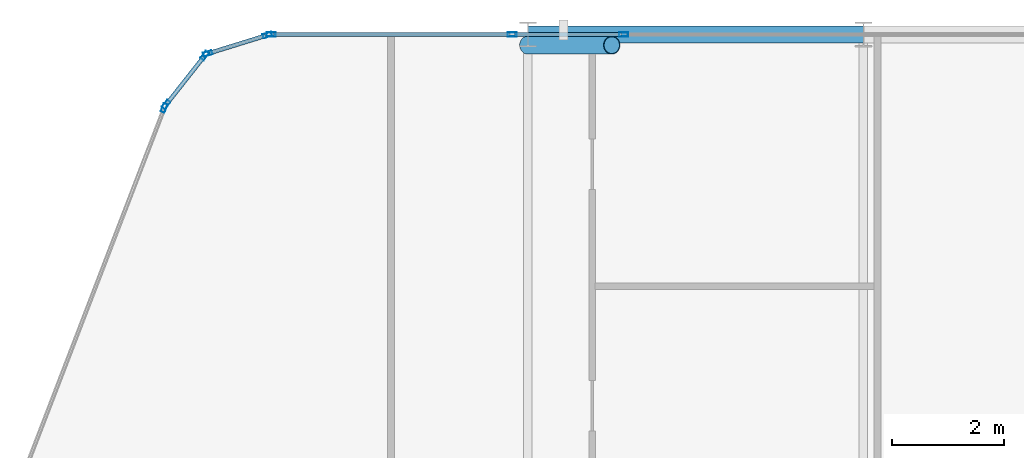
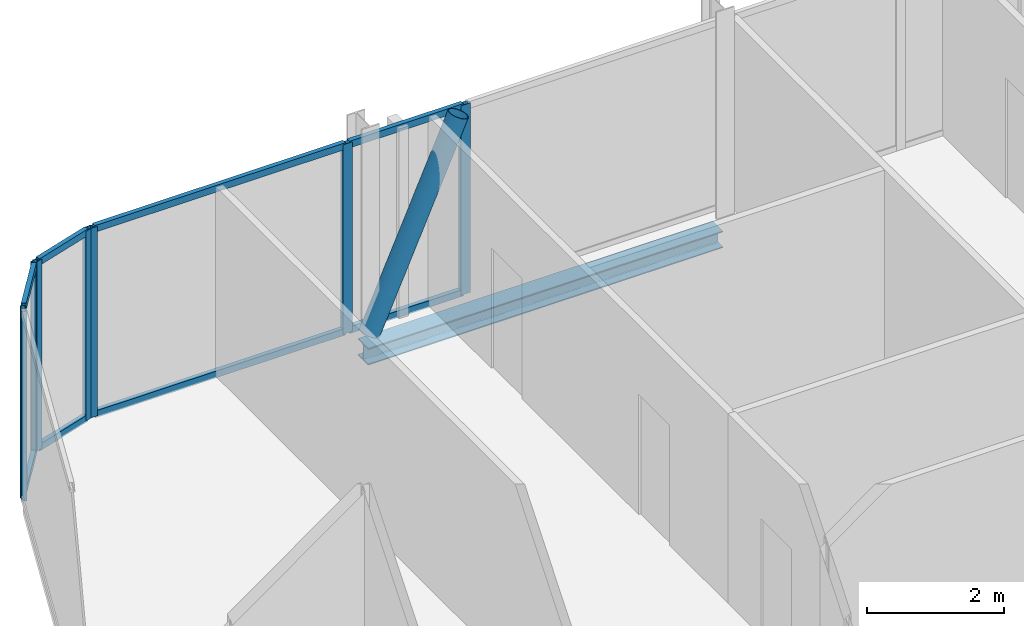
# One storey, part 18 of 29: 17 members, 1 beam, 5 elements without a shape of their own.
"""IFC4 building model written with IfcOpenShell, lengths in metres."""

from ifc_helpers import new_model, si_unit, direction, frame, origin, origin_2d, place, context, subcontext, project, spatial, hollow_rectangle, hollow_circle, i_section, extrude, material, layer, layer_set, material_profile, profile_set, type_object, element, aggregate, save


model = new_model("IFC4")

# Units and contexts
model_context = context("Model", 3, precision=1e-05, world=origin(), true_north=direction((0.0, 1.0)))
body_context = subcontext(model_context, "Body", "Model", "MODEL_VIEW")
ifc_project = project(units=[si_unit("LENGTHUNIT", "METRE"), si_unit("AREAUNIT", "SQUARE_METRE"), si_unit("VOLUMEUNIT", "CUBIC_METRE"), si_unit("PLANEANGLEUNIT", "RADIAN"), si_unit("MASSUNIT", "GRAM", prefix="KILO")], contexts=[model_context])

# Site, building, storey
site_placement = place(None, origin())
site = spatial("IfcSite", under=ifc_project, at=site_placement, CompositionType="ELEMENT")
building_placement = place(site_placement, origin())
building = spatial("IfcBuilding", under=site, at=building_placement, Name="Keshet Zoharim Tower", CompositionType="ELEMENT")
storey_placement = place(building_placement, frame((0.0, 0.0, 172.800048828125)))
storey = spatial("IfcBuildingStorey", under=building, at=storey_placement, Name="L42", CompositionType="ELEMENT", Elevation=172.800048828125)

# Beam
ifc_material_1 = material(Name="Steel S355", Category="steel")
ifc_material_profile_1 = material_profile(ifc_material_1, i_section(OverallWidth=0.300048828125, OverallDepth=0.300048828125, WebThickness=0.010986328125, FlangeThickness=0.01904296875, FilletRadius=0.027099609375, at=origin_2d()), Name="HEB300")
ifc_profile_set_1 = profile_set([ifc_material_profile_1], Name="Steel S355")
beam_type = type_object("IfcBeamType", Name="BM-PRI-HB300", PredefinedType="BEAM", material=ifc_profile_set_1)
beam_placement = place(storey_placement, frame((21.0, 53.89990234375, -0.4599609375), z_axis=(1.0, 0.0, 0.0), x_axis=(0.0, 1.0, 0.0)))
element("IfcBeam", 1, at=beam_placement, inside=storey, type_object=beam_type, Name="L42 Primary Girder X-019", PredefinedType="BEAM", context=body_context, shape_type="SweptSolid", body=[
    extrude(i_section(OverallWidth=0.300048828125, OverallDepth=0.300048828125, WebThickness=0.010986328125, FlangeThickness=0.01904296875, FilletRadius=0.027099609375, at=origin_2d()), origin(), (0.0, 0.0, 1.0), 6.0),
])

# Curtain wall, member
ifc_material_2 = material(Name="Aluminium 6063-T6", Category="aluminium")
ifc_layer = layer(ifc_material_2, 0.139892578125)
ifc_layer_set = layer_set([ifc_layer], Name="Aluminium 6063-T6")
curtain_wall_type = type_object("IfcCurtainWallType", Name="CW-SYS-05", PredefinedType="NOTDEFINED", material=ifc_layer_set)
curtain_wall_1_placement = place(storey_placement, origin())
curtain_wall_1 = element("IfcCurtainWall", 2, at=curtain_wall_1_placement, inside=storey, type_object=curtain_wall_type, Name="L42 Unitised Curtain Wall 13", PredefinedType="NOTDEFINED")
ifc_material_profile_2 = material_profile(ifc_material_2, hollow_rectangle(XDim=0.074951171875, YDim=0.159912109375, WallThickness=0.00390625, at=origin_2d()), Name="MUL-75x160")
ifc_profile_set_2 = profile_set([ifc_material_profile_2], Name="Aluminium 6063-T6")
member_type_1 = type_object("IfcMemberType", Name="CWM-M15", PredefinedType="MULLION", material=ifc_profile_set_2)
member_1_placement = place(storey_placement, frame((14.494384765625, 52.58544921875, 0.0), z_axis=(0.0, 0.0, 1.0), x_axis=(-0.933341404361, 0.358990003907, 0.0)))
member_1 = element("IfcMember", 3, at=member_1_placement, type_object=member_type_1, Name="CW-05 mullion 4", PredefinedType="MULLION", context=body_context, shape_type="SweptSolid", body=[
    extrude(hollow_rectangle(XDim=0.074951171875, YDim=0.159912109375, WallThickness=0.00390625, at=origin_2d()), origin(), (0.0, 0.0, 1.0), 3.389892578125),
])
aggregate(curtain_wall_1, [member_1])

# Curtain wall, members
curtain_wall_2_placement = place(storey_placement, origin())
curtain_wall_2 = element("IfcCurtainWall", 4, at=curtain_wall_2_placement, inside=storey, type_object=curtain_wall_type, Name="L42 Unitised Curtain Wall 14", PredefinedType="NOTDEFINED")
member_2_placement = place(storey_placement, frame((14.528564453125, 52.6455078125, 0.0), z_axis=(0.0, 0.0, 1.0), x_axis=(-0.785292825205, 0.619124525989, 0.0)))
member_2 = element("IfcMember", 5, at=member_2_placement, type_object=member_type_1, Name="CW-05 mullion 1", PredefinedType="MULLION", context=body_context, shape_type="SweptSolid", body=[
    extrude(hollow_rectangle(XDim=0.074951171875, YDim=0.159912109375, WallThickness=0.00390625, at=origin_2d()), origin(), (0.0, 0.0, 1.0), 3.389892578125),
])
member_3_placement = place(storey_placement, frame((15.21923828125, 53.521484375, 0.0), z_axis=(0.0, 0.0, 1.0), x_axis=(-0.785292825205, 0.619124525989, 0.0)))
member_3 = element("IfcMember", 6, at=member_3_placement, type_object=member_type_1, Name="CW-05 mullion 2", PredefinedType="MULLION", context=body_context, shape_type="SweptSolid", body=[
    extrude(hollow_rectangle(XDim=0.074951171875, YDim=0.159912109375, WallThickness=0.00390625, at=origin_2d()), origin(), (0.0, 0.0, 1.0), 3.389892578125),
])

curtain_wall_3_placement = place(storey_placement, origin())
curtain_wall_3 = element("IfcCurtainWall", 7, at=curtain_wall_3_placement, inside=storey, type_object=curtain_wall_type, Name="L42 Unitised Curtain Wall 15", PredefinedType="NOTDEFINED")
member_4_placement = place(storey_placement, frame((15.2744140625, 53.559326171875, 0.0), z_axis=(0.0, 0.0, 1.0), x_axis=(-0.295921857984, 0.955212151288, 0.0)))
member_4 = element("IfcMember", 8, at=member_4_placement, type_object=member_type_1, Name="CW-05 mullion 1", PredefinedType="MULLION", context=body_context, shape_type="SweptSolid", body=[
    extrude(hollow_rectangle(XDim=0.074951171875, YDim=0.159912109375, WallThickness=0.00390625, at=origin_2d()), origin(), (0.0, 0.0, 1.0), 3.389892578125),
])
member_5_placement = place(storey_placement, frame((16.340576171875, 53.8896484375, 0.0), z_axis=(0.0, 0.0, 1.0), x_axis=(-0.295921857984, 0.955212151288, 0.0)))
member_5 = element("IfcMember", 9, at=member_5_placement, type_object=member_type_1, Name="CW-05 mullion 2", PredefinedType="MULLION", context=body_context, shape_type="SweptSolid", body=[
    extrude(hollow_rectangle(XDim=0.074951171875, YDim=0.159912109375, WallThickness=0.00390625, at=origin_2d()), origin(), (0.0, 0.0, 1.0), 3.389892578125),
])

curtain_wall_4_placement = place(storey_placement, origin())
curtain_wall_4 = element("IfcCurtainWall", 10, at=curtain_wall_4_placement, inside=storey, type_object=curtain_wall_type, Name="L42 Unitised Curtain Wall 16", PredefinedType="NOTDEFINED")
member_6_placement = place(storey_placement, frame((16.408935546875, 53.89990234375, 0.0), z_axis=(0.0, 0.0, 1.0), x_axis=(0.0, 1.0, 0.0)))
member_6 = element("IfcMember", 11, at=member_6_placement, type_object=member_type_1, Name="CW-05 mullion 1", PredefinedType="MULLION", context=body_context, shape_type="SweptSolid", body=[
    extrude(hollow_rectangle(XDim=0.074951171875, YDim=0.159912109375, WallThickness=0.00390625, at=origin_2d()), origin(), (0.0, 0.0, 1.0), 3.389892578125),
])
member_7_placement = place(storey_placement, frame((20.716796875, 53.89990234375, 0.0), z_axis=(0.0, 0.0, 1.0), x_axis=(0.0, 1.0, 0.0)))
member_7 = element("IfcMember", 12, at=member_7_placement, type_object=member_type_1, Name="CW-05 mullion 2", PredefinedType="MULLION", context=body_context, shape_type="SweptSolid", body=[
    extrude(hollow_rectangle(XDim=0.074951171875, YDim=0.159912109375, WallThickness=0.00390625, at=origin_2d()), origin(), (0.0, 0.0, 1.0), 3.389892578125),
])

# Curtain wall, member
curtain_wall_5_placement = place(storey_placement, origin())
curtain_wall_5 = element("IfcCurtainWall", 13, at=curtain_wall_5_placement, inside=storey, type_object=curtain_wall_type, Name="L42 Unitised Curtain Wall 16 Part 2", PredefinedType="NOTDEFINED")
member_8_placement = place(storey_placement, frame((22.713134765625, 53.89990234375, 0.0), z_axis=(0.0, 0.0, 1.0), x_axis=(0.0, 1.0, 0.0)))
member_8 = element("IfcMember", 14, at=member_8_placement, type_object=member_type_1, Name="CW-05 mullion 2", PredefinedType="MULLION", context=body_context, shape_type="SweptSolid", body=[
    extrude(hollow_rectangle(XDim=0.074951171875, YDim=0.159912109375, WallThickness=0.00390625, at=origin_2d()), origin(), (0.0, 0.0, 1.0), 3.389892578125),
])

# Member
ifc_material_profile_3 = material_profile(ifc_material_2, hollow_rectangle(XDim=0.074951171875, YDim=0.1201171875, WallThickness=0.00390625, at=origin_2d()), Name="TRN-75x120")
ifc_profile_set_3 = profile_set([ifc_material_profile_3], Name="Aluminium 6063-T6")
member_type_2 = type_object("IfcMemberType", Name="CWT-T12", PredefinedType="USERDEFINED", material=ifc_profile_set_3)
member_9_placement = place(storey_placement, frame((14.55029296875, 52.6728515625, 0.034912109375), z_axis=(0.619099165969, 0.78531281837, 0.0), x_axis=(-0.78531281837, 0.619099165969, 0.0)))
member_9 = element("IfcMember", 15, at=member_9_placement, type_object=member_type_2, Name="CW-05 transom 1.1", ObjectType="TRANSOM", PredefinedType="USERDEFINED", context=body_context, shape_type="SweptSolid", body=[
    extrude(hollow_rectangle(XDim=0.074951171875, YDim=0.1201171875, WallThickness=0.00390625, at=origin_2d()), origin(), (0.0, 0.0, 1.0), 1.0458984375),
])

member_10_placement = place(storey_placement, frame((14.55029296875, 52.6728515625, 3.35498046875), z_axis=(0.619099165969, 0.78531281837, 0.0), x_axis=(-0.78531281837, 0.619099165969, 0.0)))
member_10 = element("IfcMember", 16, at=member_10_placement, type_object=member_type_2, Name="CW-05 transom 1.2", ObjectType="TRANSOM", PredefinedType="USERDEFINED", context=body_context, shape_type="SweptSolid", body=[
    extrude(hollow_rectangle(XDim=0.074951171875, YDim=0.1201171875, WallThickness=0.00390625, at=origin_2d()), origin(), (0.0, 0.0, 1.0), 1.0458984375),
])

aggregate(curtain_wall_2, [member_2, member_3, member_9, member_10])

member_11_placement = place(storey_placement, frame((15.307861328125, 53.56982421875, 0.034912109375), z_axis=(0.955212093062, 0.295922045933, 0.0), x_axis=(-0.295922045933, 0.955212093062, 0.0)))
member_11 = element("IfcMember", 17, at=member_11_placement, type_object=member_type_2, Name="CW-05 transom 1.1", ObjectType="TRANSOM", PredefinedType="USERDEFINED", context=body_context, shape_type="SweptSolid", body=[
    extrude(hollow_rectangle(XDim=0.074951171875, YDim=0.1201171875, WallThickness=0.00390625, at=origin_2d()), origin(), (0.0, 0.0, 1.0), 1.046142578125),
])

member_12_placement = place(storey_placement, frame((15.307861328125, 53.56982421875, 3.35498046875), z_axis=(0.955212093062, 0.295922045933, 0.0), x_axis=(-0.295922045933, 0.955212093062, 0.0)))
member_12 = element("IfcMember", 18, at=member_12_placement, type_object=member_type_2, Name="CW-05 transom 1.2", ObjectType="TRANSOM", PredefinedType="USERDEFINED", context=body_context, shape_type="SweptSolid", body=[
    extrude(hollow_rectangle(XDim=0.074951171875, YDim=0.1201171875, WallThickness=0.00390625, at=origin_2d()), origin(), (0.0, 0.0, 1.0), 1.046142578125),
])

aggregate(curtain_wall_3, [member_4, member_5, member_11, member_12])

member_13_placement = place(storey_placement, frame((16.444091796875, 53.89990234375, 0.034912109375), z_axis=(1.0, 0.0, 0.0), x_axis=(0.0, 1.0, 0.0)))
member_13 = element("IfcMember", 19, at=member_13_placement, type_object=member_type_2, Name="CW-05 transom 1.1", ObjectType="TRANSOM", PredefinedType="USERDEFINED", context=body_context, shape_type="SweptSolid", body=[
    extrude(hollow_rectangle(XDim=0.074951171875, YDim=0.1201171875, WallThickness=0.00390625, at=origin_2d()), origin(), (0.0, 0.0, 1.0), 4.23779296875),
])

member_14_placement = place(storey_placement, frame((16.444091796875, 53.89990234375, 3.35498046875), z_axis=(1.0, 0.0, 0.0), x_axis=(0.0, 1.0, 0.0)))
member_14 = element("IfcMember", 20, at=member_14_placement, type_object=member_type_2, Name="CW-05 transom 1.2", ObjectType="TRANSOM", PredefinedType="USERDEFINED", context=body_context, shape_type="SweptSolid", body=[
    extrude(hollow_rectangle(XDim=0.074951171875, YDim=0.1201171875, WallThickness=0.00390625, at=origin_2d()), origin(), (0.0, 0.0, 1.0), 4.23779296875),
])

aggregate(curtain_wall_4, [member_6, member_7, member_13, member_14])

member_15_placement = place(storey_placement, frame((20.751953125, 53.89990234375, 0.034912109375), z_axis=(1.0, 0.0, 0.0), x_axis=(0.0, 1.0, 0.0)))
member_15 = element("IfcMember", 21, at=member_15_placement, type_object=member_type_2, Name="CW-05 transom 1.1", ObjectType="TRANSOM", PredefinedType="USERDEFINED", context=body_context, shape_type="SweptSolid", body=[
    extrude(hollow_rectangle(XDim=0.074951171875, YDim=0.1201171875, WallThickness=0.00390625, at=origin_2d()), origin(), (0.0, 0.0, 1.0), 1.926025390625),
])

member_16_placement = place(storey_placement, frame((20.751953125, 53.89990234375, 3.35498046875), z_axis=(1.0, 0.0, 0.0), x_axis=(0.0, 1.0, 0.0)))
member_16 = element("IfcMember", 22, at=member_16_placement, type_object=member_type_2, Name="CW-05 transom 1.2", ObjectType="TRANSOM", PredefinedType="USERDEFINED", context=body_context, shape_type="SweptSolid", body=[
    extrude(hollow_rectangle(XDim=0.074951171875, YDim=0.1201171875, WallThickness=0.00390625, at=origin_2d()), origin(), (0.0, 0.0, 1.0), 1.926025390625),
])

aggregate(curtain_wall_5, [member_8, member_15, member_16])

ifc_material_profile_4 = material_profile(ifc_material_1, hollow_circle(Radius=0.161865234375, WallThickness=0.012451171875, at=origin_2d()), Name="CHS323x12.5")
ifc_profile_set_4 = profile_set([ifc_material_profile_4], Name="Steel S355")
member_type_3 = type_object("IfcMemberType", Name="MB-BR-C323", PredefinedType="BRACE", material=ifc_profile_set_4)
member_17_placement = place(storey_placement, frame((21.0, 53.7099609375, 0.0), z_axis=(0.40464689807, 0.0, 0.914473011019), x_axis=(0.0, 1.0, 0.0)))
element("IfcMember", 23, at=member_17_placement, inside=storey, type_object=member_type_3, Name="L42 Perimeter Tube Brace 02", PredefinedType="BRACE", context=body_context, shape_type="SweptSolid", body=[
    extrude(hollow_circle(Radius=0.161865234375, WallThickness=0.012451171875, at=origin_2d()), origin(), (0.0, 0.0, 1.0), 3.70703125),
])

save(model, "model.ifc")
